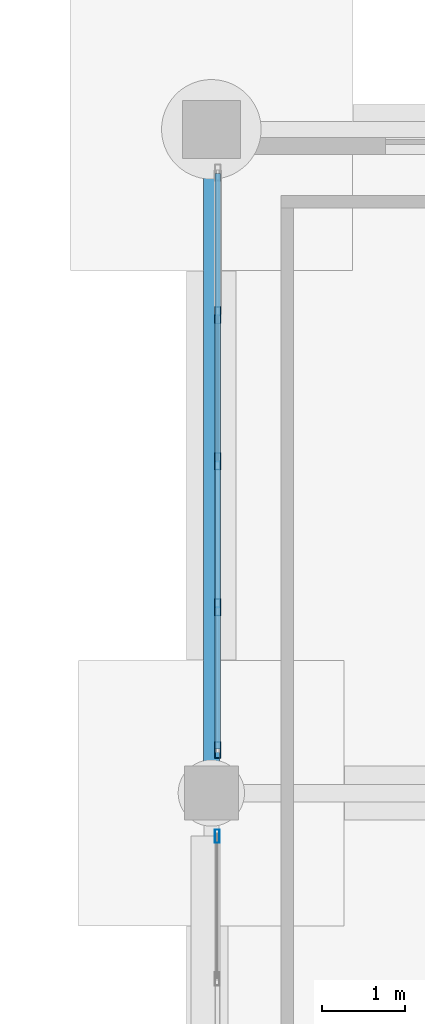
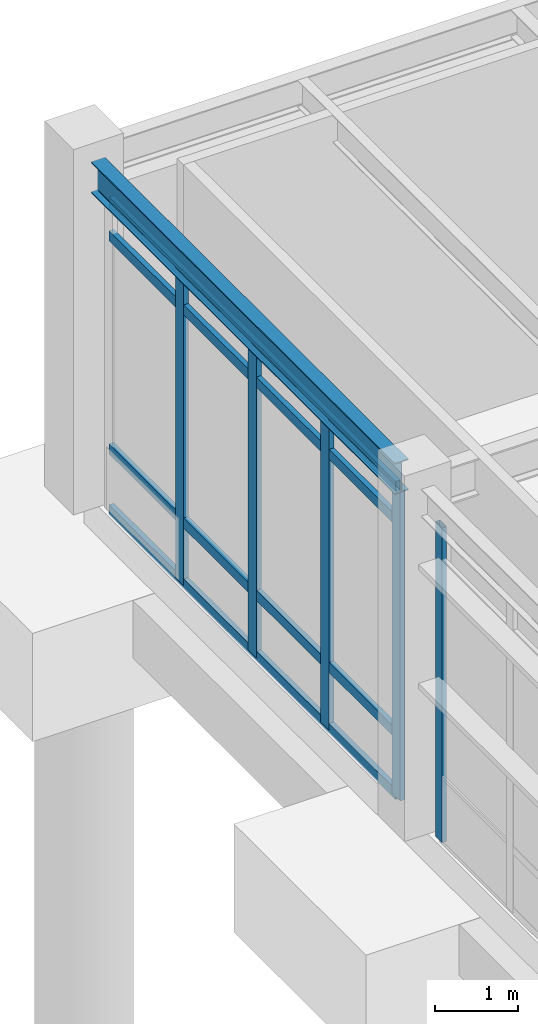
# One storey, part 102 of 203: 9 members, 1 beam, 2 elements without a shape of their own.
"""IFC4 building model written with IfcOpenShell, lengths in metres."""

from ifc_helpers import new_model, si_unit, direction, frame, origin, origin_2d, place, context, subcontext, project, spatial, hollow_rectangle, i_section, extrude, material, material_profile, profile_set, type_object, element, aggregate, save


model = new_model("IFC4")

# Units and contexts
model_context = context("Model", 3, precision=1e-05, world=origin(), true_north=direction((0.0, 1.0)))
body_context = subcontext(model_context, "Body", "Model", "MODEL_VIEW")
ifc_project = project(units=[si_unit("LENGTHUNIT", "METRE"), si_unit("AREAUNIT", "SQUARE_METRE"), si_unit("VOLUMEUNIT", "CUBIC_METRE"), si_unit("PLANEANGLEUNIT", "RADIAN"), si_unit("MASSUNIT", "GRAM", prefix="KILO"), si_unit("THERMODYNAMICTEMPERATUREUNIT", "KELVIN"), si_unit("POWERUNIT", "WATT")], contexts=[model_context])

# Site, building, storey
site_placement = place(None, origin())
site = spatial("IfcSite", under=ifc_project, at=site_placement, CompositionType="ELEMENT")
building_placement = place(site_placement, origin())
building = spatial("IfcBuilding", under=site, at=building_placement, Name="Tepalcoro Natatorium and Aquatics Centre", CompositionType="ELEMENT")
storey_placement = place(building_placement, origin())
storey = spatial("IfcBuildingStorey", under=building, at=storey_placement, Name="L00", CompositionType="ELEMENT", Elevation=0.0)

# Curtain wall, member
ifc_material_1 = material(Name="Bronze-Anodised Extruded Aluminium Alloy EN AW-6063 T6", Category="aluminium")
curtain_wall_type_1 = type_object("IfcCurtainWallType", Name="CW_LEAN_T1_EW", PredefinedType="USERDEFINED", material=ifc_material_1)
curtain_wall_1_placement = place(storey_placement, origin())
curtain_wall_1 = element("IfcCurtainWall", 1, at=curtain_wall_1_placement, inside=storey, type_object=curtain_wall_type_1, Name="V5 L00 W Unitised Curtain Wall Bay 3", ObjectType="FACETED SOLAR GLAZING", PredefinedType="USERDEFINED")
ifc_material_profile_1 = material_profile(ifc_material_1, hollow_rectangle(XDim=0.06005859375, YDim=0.159912109375, WallThickness=0.00390625, at=origin_2d()), Name="AL60X160X4")
ifc_profile_set_1 = profile_set([ifc_material_profile_1], Name="Bronze-Anodised Extruded Aluminium Alloy EN AW-6063 T6")
member_type_1 = type_object("IfcMemberType", Name="CW_MUL_60x160", PredefinedType="MULLION", material=ifc_profile_set_1)
member_1_placement = place(storey_placement, frame((98.0712890625, 109.47998046875, 0.02001953125), z_axis=(0.0, 0.0, 1.0), x_axis=(1.0, 0.0, 0.0)))
member_1 = element("IfcMember", 2, at=member_1_placement, type_object=member_type_1, Name="CW_LEAN_T1_EW Curtain Wall Mullion", PredefinedType="MULLION", context=body_context, shape_type="SweptSolid", body=[
    extrude(hollow_rectangle(XDim=0.06005859375, YDim=0.159912109375, WallThickness=0.00390625, at=origin_2d()), origin(), (0.0, 0.0, 1.0), 4.656982421875),
])
aggregate(curtain_wall_1, [member_1])

# Curtain wall, members
curtain_wall_type_2 = type_object("IfcCurtainWallType", Name="CW_LEAN_T2_NS", PredefinedType="USERDEFINED", material=ifc_material_1)
curtain_wall_2_placement = place(storey_placement, origin())
curtain_wall_2 = element("IfcCurtainWall", 3, at=curtain_wall_2_placement, inside=storey, type_object=curtain_wall_type_2, Name="V5 L00 W Unitised Curtain Wall Bay 4", ObjectType="FACETED SOLAR GLAZING", PredefinedType="USERDEFINED")
ifc_material_profile_2 = material_profile(ifc_material_1, hollow_rectangle(XDim=0.070068359375, YDim=0.199951171875, WallThickness=0.0048828125, at=origin_2d()), Name="AL70X200X5")
ifc_profile_set_2 = profile_set([ifc_material_profile_2], Name="Bronze-Anodised Extruded Aluminium Alloy EN AW-6063 T6")
member_type_2 = type_object("IfcMemberType", Name="CW_MUL_70x200", PredefinedType="MULLION", material=ifc_profile_set_2)
member_2_placement = place(storey_placement, frame((98.076171875, 110.52001953125, 0.02001953125), z_axis=(0.0, 0.0, 1.0), x_axis=(1.0, 0.0, 0.0)))
member_2 = element("IfcMember", 4, at=member_2_placement, type_object=member_type_2, Name="CW_LEAN_T2_NS Curtain Wall Mullion", PredefinedType="MULLION", context=body_context, shape_type="SweptSolid", body=[
    extrude(hollow_rectangle(XDim=0.070068359375, YDim=0.199951171875, WallThickness=0.0048828125, at=origin_2d()), origin(), (0.0, 0.0, 1.0), 4.60986328125),
])
member_3_placement = place(storey_placement, frame((98.076171875, 112.239990234375, 0.02001953125), z_axis=(0.0, 0.0, 1.0), x_axis=(1.0, 0.0, 0.0)))
member_3 = element("IfcMember", 5, at=member_3_placement, type_object=member_type_2, Name="CW_LEAN_T2_NS Curtain Wall Mullion", PredefinedType="MULLION", context=body_context, shape_type="SweptSolid", body=[
    extrude(hollow_rectangle(XDim=0.070068359375, YDim=0.199951171875, WallThickness=0.0048828125, at=origin_2d()), origin(), (0.0, 0.0, 1.0), 4.60986328125),
])
member_4_placement = place(storey_placement, frame((98.076171875, 114.0, 0.02001953125), z_axis=(0.0, 0.0, 1.0), x_axis=(1.0, 0.0, 0.0)))
member_4 = element("IfcMember", 6, at=member_4_placement, type_object=member_type_2, Name="CW_LEAN_T2_NS Curtain Wall Mullion", PredefinedType="MULLION", context=body_context, shape_type="SweptSolid", body=[
    extrude(hollow_rectangle(XDim=0.070068359375, YDim=0.199951171875, WallThickness=0.0048828125, at=origin_2d()), origin(), (0.0, 0.0, 1.0), 4.60986328125),
])
member_5_placement = place(storey_placement, frame((98.076171875, 115.760009765625, 0.02001953125), z_axis=(0.0, 0.0, 1.0), x_axis=(1.0, 0.0, 0.0)))
member_5 = element("IfcMember", 7, at=member_5_placement, type_object=member_type_2, Name="CW_LEAN_T2_NS Curtain Wall Mullion", PredefinedType="MULLION", context=body_context, shape_type="SweptSolid", body=[
    extrude(hollow_rectangle(XDim=0.070068359375, YDim=0.199951171875, WallThickness=0.0048828125, at=origin_2d()), origin(), (0.0, 0.0, 1.0), 4.60986328125),
])
ifc_material_profile_3 = material_profile(ifc_material_1, hollow_rectangle(XDim=0.070068359375, YDim=0.14990234375, WallThickness=0.00390625, at=origin_2d()), Name="AL70X150X4")
ifc_profile_set_3 = profile_set([ifc_material_profile_3], Name="Bronze-Anodised Extruded Aluminium Alloy EN AW-6063 T6")
member_type_3 = type_object("IfcMemberType", Name="CW_TRN_70x150", PredefinedType="USERDEFINED", material=ifc_profile_set_3)
member_6_placement = place(storey_placement, frame((98.076171875, 110.530029296875, 0.050048828125), z_axis=(0.0, 1.0, 0.0), x_axis=(-1.0, 0.0, 0.0)))
member_6 = element("IfcMember", 8, at=member_6_placement, type_object=member_type_3, Name="CW_LEAN_T2_NS Curtain Wall Transom", ObjectType="TRANSOM", PredefinedType="USERDEFINED", context=body_context, shape_type="SweptSolid", body=[
    extrude(hollow_rectangle(XDim=0.070068359375, YDim=0.14990234375, WallThickness=0.00390625, at=origin_2d()), origin(), (0.0, 0.0, 1.0), 6.93994140625),
])
member_7_placement = place(storey_placement, frame((98.076171875, 110.530029296875, 0.949951171875), z_axis=(0.0, 1.0, 0.0), x_axis=(-1.0, 0.0, 0.0)))
member_7 = element("IfcMember", 9, at=member_7_placement, type_object=member_type_3, Name="CW_LEAN_T2_NS Curtain Wall Transom", ObjectType="TRANSOM", PredefinedType="USERDEFINED", context=body_context, shape_type="SweptSolid", body=[
    extrude(hollow_rectangle(XDim=0.070068359375, YDim=0.14990234375, WallThickness=0.00390625, at=origin_2d()), origin(), (0.0, 0.0, 1.0), 6.93994140625),
])
member_8_placement = place(storey_placement, frame((98.076171875, 110.530029296875, 4.10009765625), z_axis=(0.0, 1.0, 0.0), x_axis=(-1.0, 0.0, 0.0)))
member_8 = element("IfcMember", 10, at=member_8_placement, type_object=member_type_3, Name="CW_LEAN_T2_NS Curtain Wall Transom", ObjectType="TRANSOM", PredefinedType="USERDEFINED", context=body_context, shape_type="SweptSolid", body=[
    extrude(hollow_rectangle(XDim=0.070068359375, YDim=0.14990234375, WallThickness=0.00390625, at=origin_2d()), origin(), (0.0, 0.0, 1.0), 6.93994140625),
])
member_9_placement = place(storey_placement, frame((98.076171875, 110.530029296875, 4.60009765625), z_axis=(0.0, 1.0, 0.0), x_axis=(-1.0, 0.0, 0.0)))
member_9 = element("IfcMember", 11, at=member_9_placement, type_object=member_type_3, Name="CW_LEAN_T2_NS Curtain Wall Transom", ObjectType="TRANSOM", PredefinedType="USERDEFINED", context=body_context, shape_type="SweptSolid", body=[
    extrude(hollow_rectangle(XDim=0.070068359375, YDim=0.14990234375, WallThickness=0.00390625, at=origin_2d()), origin(), (0.0, 0.0, 1.0), 6.93994140625),
])
aggregate(curtain_wall_2, [member_2, member_3, member_4, member_5, member_6, member_7, member_8, member_9])

# Beam
ifc_material_2 = material(Name="Steel ASTM A992 Grade 50 (Fy 345 MPa)", Category="steel")
ifc_material_profile_4 = material_profile(ifc_material_2, i_section(OverallWidth=0.19091796875, OverallDepth=0.4599609375, WebThickness=0.010009765625, FlangeThickness=0.01611328125, FilletRadius=0.013916015625, at=origin_2d()), Name="W18X55")
ifc_profile_set_4 = profile_set([ifc_material_profile_4], Name="Steel ASTM A992 Grade 50 (Fy 345 MPa)")
beam_type = type_object("IfcBeamType", Name="SP_W18x55", PredefinedType="SPANDREL", material=ifc_profile_set_4)
beam_placement = place(storey_placement, frame((98.0, 110.31005859375, 4.89501953125), z_axis=(0.0, 1.0, 0.0), x_axis=(-1.0, 0.0, 0.0)))
element("IfcBeam", 12, at=beam_placement, inside=storey, type_object=beam_type, Name="V5 L00 Grid Girder Y", PredefinedType="SPANDREL", context=body_context, shape_type="SweptSolid", body=[
    extrude(i_section(OverallWidth=0.19091796875, OverallDepth=0.4599609375, WebThickness=0.010009765625, FlangeThickness=0.01611328125, FilletRadius=0.013916015625, at=origin_2d()), origin(), (0.0, 0.0, 1.0), 7.35498046875),
])

save(model, "model.ifc")
